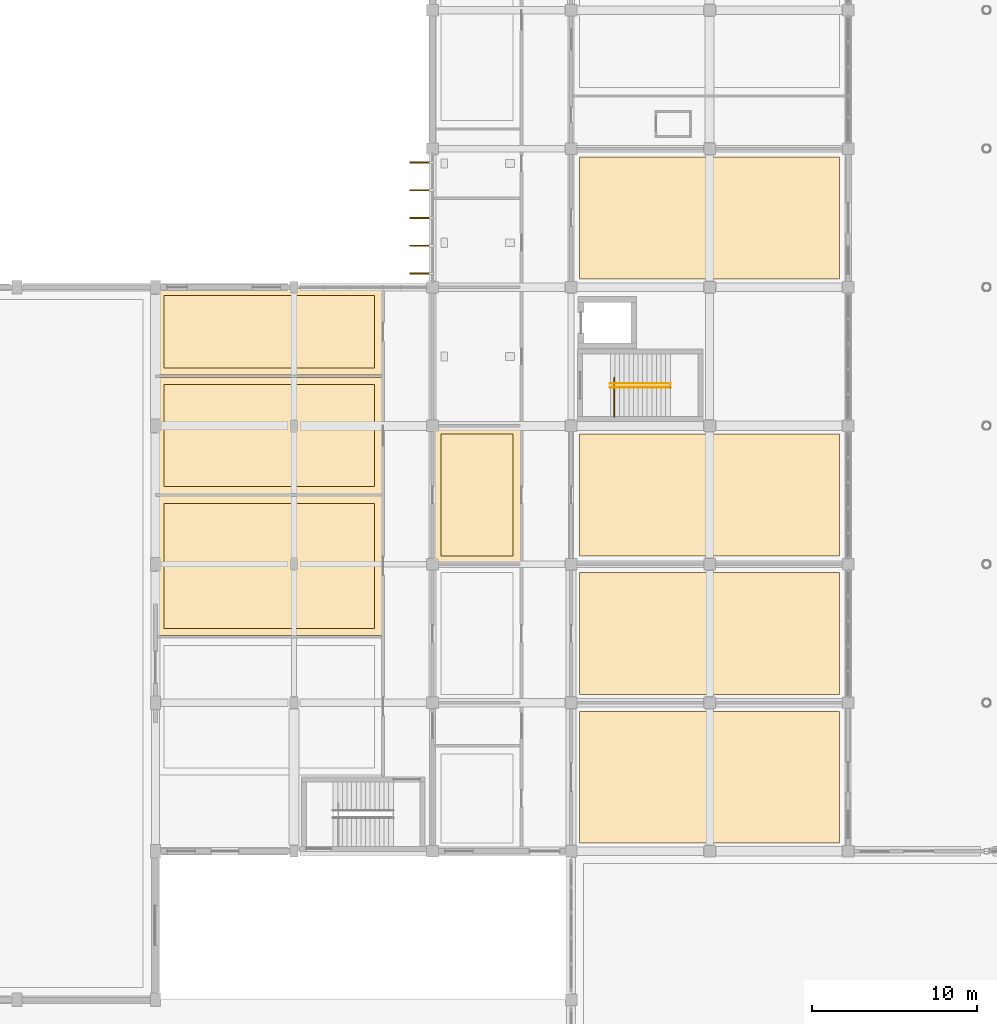
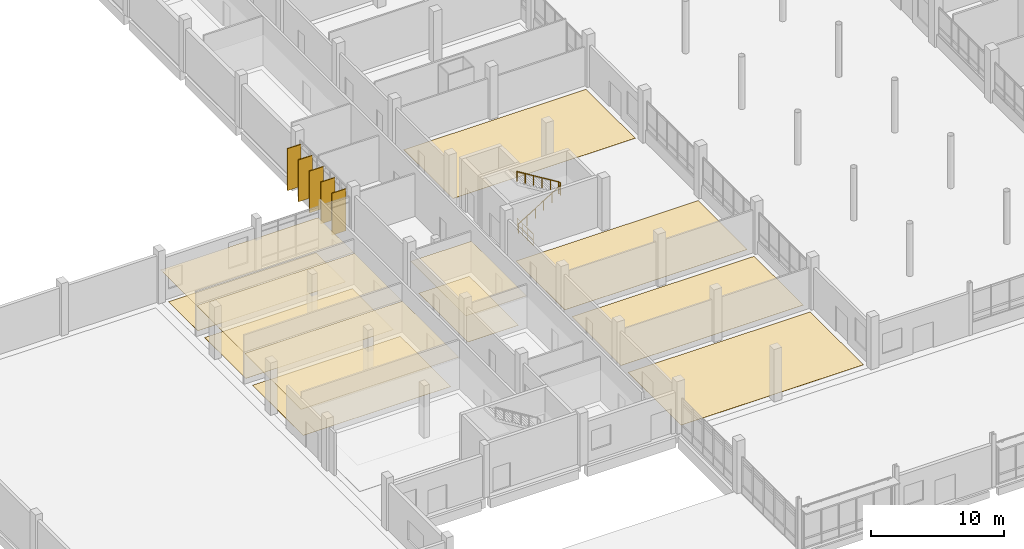
# One storey, part 89 of 95: 12 coverings, 5 shading devices, 4 railings.
"""IFC4 building model written with IfcOpenShell, lengths in metres."""

from ifc_helpers import new_model, si_unit, direction, frame, origin, origin_2d, place, context, subcontext, project, spatial, polyline, rectangle, circle, outline, extrude, material, layer, layer_set, material_profile, profile_set, type_object, element, save


model = new_model("IFC4")

# Units and contexts
model_context = context("Model", 3, precision=1e-05, world=origin(), true_north=direction((0.0, 1.0)))
body_context = subcontext(model_context, "Body", "Model", "MODEL_VIEW")
ifc_project = project(units=[si_unit("LENGTHUNIT", "METRE"), si_unit("AREAUNIT", "SQUARE_METRE"), si_unit("VOLUMEUNIT", "CUBIC_METRE"), si_unit("PLANEANGLEUNIT", "RADIAN"), si_unit("MASSUNIT", "GRAM", prefix="KILO")], contexts=[model_context])

# Site, building, storey
site_placement = place(None, origin())
site = spatial("IfcSite", under=ifc_project, at=site_placement, CompositionType="ELEMENT")
building_placement = place(site_placement, origin())
building = spatial("IfcBuilding", under=site, at=building_placement, Name="Vireocrest Preparatory School", CompositionType="ELEMENT")
storey_placement = place(building_placement, origin())
storey = spatial("IfcBuildingStorey", under=building, at=storey_placement, Name="L00", CompositionType="ELEMENT", Elevation=0.0)

# Coverings
ifc_material_1 = material(Name="Mineral fibre acoustic ceiling tile")
ifc_layer_1 = layer(ifc_material_1, 0.02490234375)
ifc_layer_set_1 = layer_set([ifc_layer_1], Name="Mineral fibre acoustic ceiling tile")
covering_type_1 = type_object("IfcCoveringType", Name="Acoustic Mineral-Fibre Suspended Ceiling", PredefinedType="CEILING", material=ifc_layer_set_1)
covering_1_placement = place(storey_placement, frame((0.0, 0.0, 2.800048828125)))
element("IfcCovering", 1, at=covering_1_placement, inside=storey, type_object=covering_type_1, Name="Suspended Acoustic Ceiling L00-SP02", PredefinedType="CEILING", context=body_context, shape_type="SweptSolid", body=[
    extrude(outline(polyline([(25.27001953125, 31.070068359375), (38.929931640625, 31.070068359375), (38.929931640625, 39.530029296875), (25.27001953125, 39.530029296875), (25.27001953125, 31.070068359375)])), origin(), (0.0, 0.0, 1.0), 0.02490234375),
])
covering_2_placement = place(storey_placement, frame((0.0, 0.0, 2.800048828125)))
element("IfcCovering", 2, at=covering_2_placement, inside=storey, type_object=covering_type_1, Name="Suspended Acoustic Ceiling L00-SP03", PredefinedType="CEILING", context=body_context, shape_type="SweptSolid", body=[
    extrude(outline(polyline([(25.27001953125, 39.669921875), (38.929931640625, 39.669921875), (38.929931640625, 46.72998046875), (25.27001953125, 46.72998046875), (25.27001953125, 39.669921875)])), origin(), (0.0, 0.0, 1.0), 0.02490234375),
])
covering_3_placement = place(storey_placement, frame((0.0, 0.0, 2.800048828125)))
element("IfcCovering", 3, at=covering_3_placement, inside=storey, type_object=covering_type_1, Name="Suspended Acoustic Ceiling L00-SP04", PredefinedType="CEILING", context=body_context, shape_type="SweptSolid", body=[
    extrude(outline(polyline([(25.27001953125, 46.8701171875), (38.929931640625, 46.8701171875), (38.929931640625, 52.1298828125), (25.27001953125, 52.1298828125), (25.27001953125, 46.8701171875)])), origin(), (0.0, 0.0, 1.0), 0.02490234375),
])
covering_4_placement = place(storey_placement, frame((0.0, 0.0, 2.800048828125)))
element("IfcCovering", 4, at=covering_4_placement, inside=storey, type_object=covering_type_1, Name="Suspended Acoustic Ceiling L00-WAW04", PredefinedType="CEILING", context=body_context, shape_type="SweptSolid", body=[
    extrude(outline(polyline([(42.070068359375, 35.469970703125), (47.330078125, 35.469970703125), (47.330078125, 43.72998046875), (42.070068359375, 43.72998046875), (42.070068359375, 35.469970703125)])), origin(), (0.0, 0.0, 1.0), 0.02490234375),
])

# Railings
ifc_material_2 = material(Name="Brushed stainless steel AISI 316", Category="steel")
railing_type_1 = type_object("IfcRailingType", Name="Post-and-Rail Guard Balustrade 1120", PredefinedType="BALUSTRADE", material=ifc_material_2)
railing_1_placement = place(storey_placement, frame((53.02490234375, 44.35009765625, 0.0)))
element("IfcRailing", 5, at=railing_1_placement, inside=storey, type_object=railing_type_1, Name="Arrival Landing Guard ST1-B01", PredefinedType="BALUSTRADE", context=body_context, shape_type="SweptSolid", body=[
    extrude(circle(Radius=0.02392578125, at=origin_2d()), frame((0.0, 0.0, 1.09619140625), z_axis=(0.0, 1.0, 0.0), x_axis=(-1.0, 0.0, 0.0)), (0.0, 0.0, 1.0), 2.369873046875),
    extrude(circle(Radius=0.01806640625, at=origin_2d()), frame((0.0, 0.0, 0.56005859375), z_axis=(0.0, 1.0, 0.0), x_axis=(-1.0, 0.0, 0.0)), (0.0, 0.0, 1.0), 2.369873046875),
    extrude(circle(Radius=0.01806640625, at=origin_2d()), frame((0.0, 0.0, 0.10009765625), z_axis=(0.0, 1.0, 0.0), x_axis=(-1.0, 0.0, 0.0)), (0.0, 0.0, 1.0), 2.369873046875),
    extrude(circle(Radius=0.02099609375, at=origin_2d()), origin(), (0.0, 0.0, 1.0), 1.072021484375),
    extrude(circle(Radius=0.02099609375, at=origin_2d()), frame((0.0, 0.7900390625, 0.0)), (0.0, 0.0, 1.0), 1.072021484375),
    extrude(circle(Radius=0.02099609375, at=origin_2d()), frame((0.0, 1.579833984375, 0.0)), (0.0, 0.0, 1.0), 1.072021484375),
    extrude(circle(Radius=0.02099609375, at=origin_2d()), frame((0.0, 2.369873046875, 0.0)), (0.0, 0.0, 1.0), 1.072021484375),
])
railing_2_placement = place(storey_placement, frame((56.39990234375, 46.1298828125, 2.39990234375)))
element("IfcRailing", 6, at=railing_2_placement, inside=storey, type_object=railing_type_1, Name="Half-Landing Well Guard ST1-L00", PredefinedType="BALUSTRADE", context=body_context, shape_type="SweptSolid", body=[
    extrude(circle(Radius=0.02392578125, at=origin_2d()), frame((0.0, 0.0, 1.09619140625), z_axis=(0.0, 1.0, 0.0), x_axis=(-1.0, 0.0, 0.0)), (0.0, 0.0, 1.0), 0.240234375),
    extrude(circle(Radius=0.01806640625, at=origin_2d()), frame((0.0, 0.0, 0.56005859375), z_axis=(0.0, 1.0, 0.0), x_axis=(-1.0, 0.0, 0.0)), (0.0, 0.0, 1.0), 0.240234375),
    extrude(circle(Radius=0.01806640625, at=origin_2d()), frame((0.0, 0.0, 0.10009765625), z_axis=(0.0, 1.0, 0.0), x_axis=(-1.0, 0.0, 0.0)), (0.0, 0.0, 1.0), 0.240234375),
    extrude(circle(Radius=0.02099609375, at=origin_2d()), origin(), (0.0, 0.0, 1.0), 1.072021484375),
    extrude(circle(Radius=0.02099609375, at=origin_2d()), frame((0.0, 0.240234375, 0.0)), (0.0, 0.0, 1.0), 1.072021484375),
])

# Coverings
ifc_material_3 = material(Name="Resilient acoustic linoleum flooring")
ifc_layer_2 = layer(ifc_material_3, 0.014892578125)
ifc_layer_set_2 = layer_set([ifc_layer_2], Name="Resilient acoustic linoleum flooring")
covering_type_2 = type_object("IfcCoveringType", Name="Resilient Linoleum Classroom Flooring", PredefinedType="FLOORING", material=ifc_layer_set_2)
covering_5_placement = place(storey_placement, origin())
element("IfcCovering", 7, at=covering_5_placement, inside=storey, type_object=covering_type_2, Name="Flooring FL3 L00-SP02", PredefinedType="FLOORING", context=body_context, shape_type="SweptSolid", body=[
    extrude(outline(polyline([(25.7099609375, 31.510009765625), (38.489990234375, 31.510009765625), (38.489990234375, 39.090087890625), (25.7099609375, 39.090087890625), (25.7099609375, 31.510009765625)])), origin(), (0.0, 0.0, 1.0), 0.014892578125),
])
covering_6_placement = place(storey_placement, origin())
element("IfcCovering", 8, at=covering_6_placement, inside=storey, type_object=covering_type_2, Name="Flooring FL3 L00-SP03", PredefinedType="FLOORING", context=body_context, shape_type="SweptSolid", body=[
    extrude(outline(polyline([(25.7099609375, 40.110107421875), (38.489990234375, 40.110107421875), (38.489990234375, 46.2900390625), (25.7099609375, 46.2900390625), (25.7099609375, 40.110107421875)])), origin(), (0.0, 0.0, 1.0), 0.014892578125),
])
covering_7_placement = place(storey_placement, origin())
element("IfcCovering", 9, at=covering_7_placement, inside=storey, type_object=covering_type_2, Name="Flooring FL3 L00-SP04", PredefinedType="FLOORING", context=body_context, shape_type="SweptSolid", body=[
    extrude(outline(polyline([(25.7099609375, 47.31005859375), (38.489990234375, 47.31005859375), (38.489990234375, 51.68994140625), (25.7099609375, 51.68994140625), (25.7099609375, 47.31005859375)])), origin(), (0.0, 0.0, 1.0), 0.014892578125),
])
covering_8_placement = place(storey_placement, origin())
element("IfcCovering", 10, at=covering_8_placement, inside=storey, type_object=covering_type_2, Name="Flooring FL3 L00-WAW04", PredefinedType="FLOORING", context=body_context, shape_type="SweptSolid", body=[
    extrude(outline(polyline([(42.510009765625, 35.909912109375), (46.889892578125, 35.909912109375), (46.889892578125, 43.2900390625), (42.510009765625, 43.2900390625), (42.510009765625, 35.909912109375)])), origin(), (0.0, 0.0, 1.0), 0.014892578125),
])
covering_9_placement = place(storey_placement, origin())
element("IfcCovering", 11, at=covering_9_placement, inside=storey, type_object=covering_type_2, Name="Flooring FL3 L00-WAE02", PredefinedType="FLOORING", context=body_context, shape_type="SweptSolid", body=[
    extrude(outline(polyline([(50.909912109375, 27.510009765625), (66.68994140625, 27.510009765625), (66.68994140625, 34.889892578125), (50.909912109375, 34.889892578125), (50.909912109375, 27.510009765625)])), origin(), (0.0, 0.0, 1.0), 0.014892578125),
])
covering_10_placement = place(storey_placement, origin())
element("IfcCovering", 12, at=covering_10_placement, inside=storey, type_object=covering_type_2, Name="Flooring FL3 L00-WAE03", PredefinedType="FLOORING", context=body_context, shape_type="SweptSolid", body=[
    extrude(outline(polyline([(50.909912109375, 35.909912109375), (66.68994140625, 35.909912109375), (66.68994140625, 43.2900390625), (50.909912109375, 43.2900390625), (50.909912109375, 35.909912109375)])), origin(), (0.0, 0.0, 1.0), 0.014892578125),
])
covering_11_placement = place(storey_placement, origin())
element("IfcCovering", 13, at=covering_11_placement, inside=storey, type_object=covering_type_2, Name="Flooring FL3 L00-WAEN01", PredefinedType="FLOORING", context=body_context, shape_type="SweptSolid", body=[
    extrude(outline(polyline([(50.909912109375, 52.7099609375), (66.68994140625, 52.7099609375), (66.68994140625, 60.090087890625), (50.909912109375, 60.090087890625), (50.909912109375, 52.7099609375)])), origin(), (0.0, 0.0, 1.0), 0.014892578125),
])

# Railings
railing_type_2 = type_object("IfcRailingType", Name="Stair Pitch Handrail 900", PredefinedType="HANDRAIL", material=ifc_material_2)
railing_3_placement = place(storey_placement, frame((52.780029296875, 46.1298828125, 0.17138671875)))
element("IfcRailing", 14, at=railing_3_placement, inside=storey, type_object=railing_type_2, Name="Stair Handrail ST1-L00-HR1", PredefinedType="HANDRAIL", context=body_context, shape_type="SweptSolid", body=[
    extrude(circle(Radius=0.02392578125, at=origin_2d()), frame((0.0, 0.0, 0.8759765625), z_axis=(0.852850264322, 0.0, 0.5221555579), x_axis=(0.0, 1.0, 0.0)), (0.0, 0.0, 1.0), 4.267822265625),
    extrude(circle(Radius=0.02099609375, at=origin_2d()), origin(), (0.0, 0.0, 1.0), 0.851806640625),
    extrude(circle(Radius=0.02099609375, at=origin_2d()), frame((0.72802734375, 0.0, 0.44580078125)), (0.0, 0.0, 1.0), 0.851806640625),
    extrude(circle(Radius=0.02099609375, at=origin_2d()), frame((1.4560546875, 0.0, 0.891357421875)), (0.0, 0.0, 1.0), 0.851806640625),
    extrude(circle(Radius=0.02099609375, at=origin_2d()), frame((2.183837890625, 0.0, 1.337158203125)), (0.0, 0.0, 1.0), 0.851806640625),
    extrude(circle(Radius=0.02099609375, at=origin_2d()), frame((2.911865234375, 0.0, 1.78271484375)), (0.0, 0.0, 1.0), 0.851806640625),
    extrude(circle(Radius=0.02099609375, at=origin_2d()), frame((3.639892578125, 0.0, 2.228515625)), (0.0, 0.0, 1.0), 0.851806640625),
])
railing_4_placement = place(storey_placement, frame((56.419921875, 46.3701171875, 2.5712890625)))
element("IfcRailing", 15, at=railing_4_placement, inside=storey, type_object=railing_type_2, Name="Stair Handrail ST1-L00-HR2", PredefinedType="HANDRAIL", context=body_context, shape_type="SweptSolid", body=[
    extrude(circle(Radius=0.02392578125, at=origin_2d()), frame((0.0, 0.0, 0.8759765625), z_axis=(-0.852824790078, 0.0, 0.522197163366), x_axis=(0.0, -1.0, 0.0)), (0.0, 0.0, 1.0), 4.26806640625),
    extrude(circle(Radius=0.02099609375, at=origin_2d()), origin(), (0.0, 0.0, 1.0), 0.851806640625),
    extrude(circle(Radius=0.02099609375, at=origin_2d()), frame((-0.72802734375, 0.0, 0.44580078125)), (0.0, 0.0, 1.0), 0.851806640625),
    extrude(circle(Radius=0.02099609375, at=origin_2d()), frame((-1.4560546875, 0.0, 0.8916015625)), (0.0, 0.0, 1.0), 0.851806640625),
    extrude(circle(Radius=0.02099609375, at=origin_2d()), frame((-2.183837890625, 0.0, 1.337158203125)), (0.0, 0.0, 1.0), 0.851806640625),
    extrude(circle(Radius=0.02099609375, at=origin_2d()), frame((-2.911865234375, 0.0, 1.782958984375)), (0.0, 0.0, 1.0), 0.851806640625),
    extrude(circle(Radius=0.02099609375, at=origin_2d()), frame((-3.639892578125, 0.0, 2.228759765625)), (0.0, 0.0, 1.0), 0.851806640625),
])

# Covering
ifc_material_4 = material(Name="Polished epoxy terrazzo flooring")
ifc_layer_3 = layer(ifc_material_4, 0.02001953125)
ifc_layer_set_3 = layer_set([ifc_layer_3], Name="Polished epoxy terrazzo flooring")
covering_type_3 = type_object("IfcCoveringType", Name="Terrazzo Concourse Flooring", PredefinedType="FLOORING", material=ifc_layer_set_3)
covering_12_placement = place(storey_placement, origin())
element("IfcCovering", 16, at=covering_12_placement, inside=storey, type_object=covering_type_3, Name="Flooring FL1 L00-WAE01", PredefinedType="FLOORING", context=body_context, shape_type="SweptSolid", body=[
    extrude(outline(polyline([(50.909912109375, 18.510009765625), (66.68994140625, 18.510009765625), (66.68994140625, 26.489990234375), (50.909912109375, 26.489990234375), (50.909912109375, 18.510009765625)])), origin(), (0.0, 0.0, 1.0), 0.02001953125),
])

# Shading devices
ifc_material_5 = material(Name="Warm anodised aluminium EN AW-6063-T6", Category="aluminium")
ifc_material_profile = material_profile(ifc_material_5, rectangle(XDim=0.080078125, YDim=1.199951171875, at=origin_2d()), Name="FIN 80x1200")
ifc_profile_set = profile_set([ifc_material_profile], Name="Warm anodised aluminium EN AW-6063-T6")
shading_device_type = type_object("IfcShadingDeviceType", Name="Vertical Anodised Aluminium Solar Fin 1200", PredefinedType="USERDEFINED", material=ifc_profile_set)
for number, where, z_axis, x_axis, name in (
    (17, (41.219970703125, 53.0400390625, 0.080078125), (0.0, 0.0, 1.0), (0.0, 1.0, 0.0), "Vertical Solar Fin FN1 L00-3-1"),
    (18, (41.219970703125, 54.719970703125, 0.080078125), (0.0, 0.0, 1.0), (0.0, 1.0, 0.0), "Vertical Solar Fin FN1 L00-3-2"),
    (19, (41.219970703125, 56.39990234375, 0.080078125), (0.0, 0.0, 1.0), (0.0, 1.0, 0.0), "Vertical Solar Fin FN1 L00-3-3"),
    (20, (41.219970703125, 58.080078125, 0.080078125), (0.0, 0.0, 1.0), (0.0, 1.0, 0.0), "Vertical Solar Fin FN1 L00-3-4"),
    (21, (41.219970703125, 59.760009765625, 0.080078125), (0.0, 0.0, 1.0), (0.0, 1.0, 0.0), "Vertical Solar Fin FN1 L00-3-5"),
):
    element("IfcShadingDevice", number, at=place(storey_placement, frame(where, z_axis=z_axis, x_axis=x_axis)), inside=storey, type_object=shading_device_type, Name=name, ObjectType="FIN", PredefinedType="USERDEFINED", context=body_context, shape_type="SweptSolid", body=[
        extrude(rectangle(XDim=0.080078125, YDim=1.199951171875, at=origin_2d()), origin(), (0.0, 0.0, 1.0), 3.83203125),
    ])

save(model, "model.ifc")
